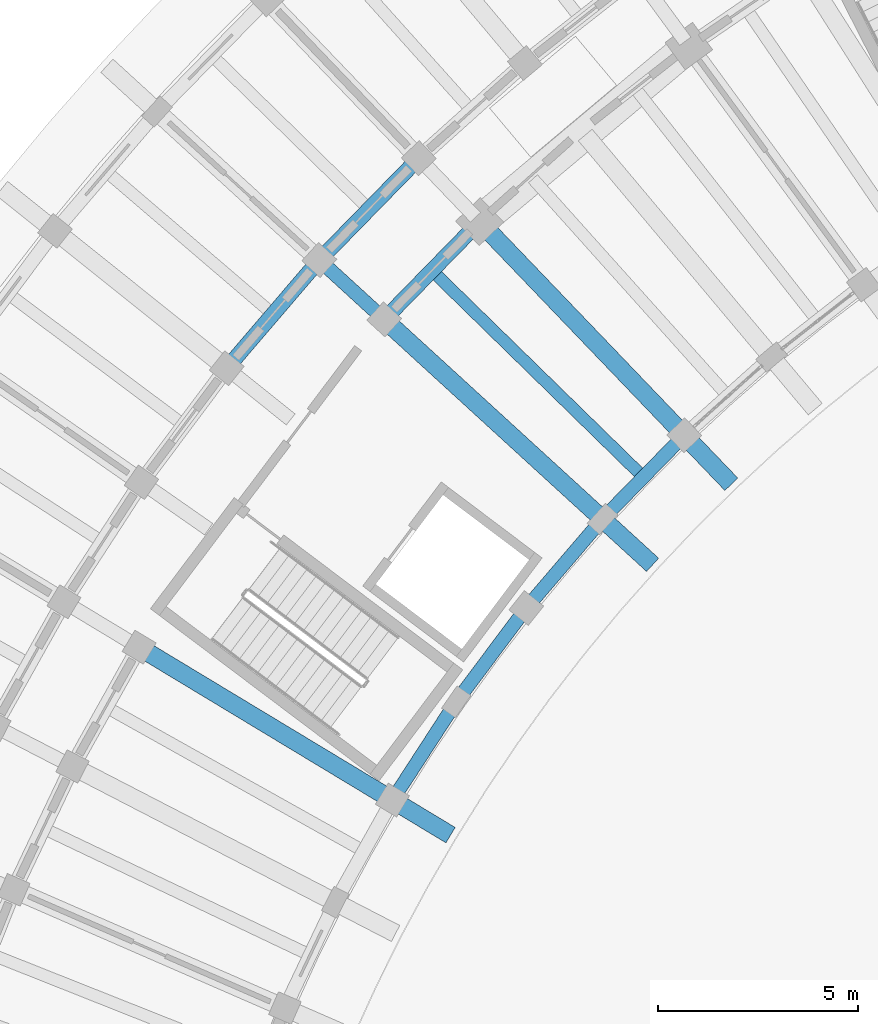
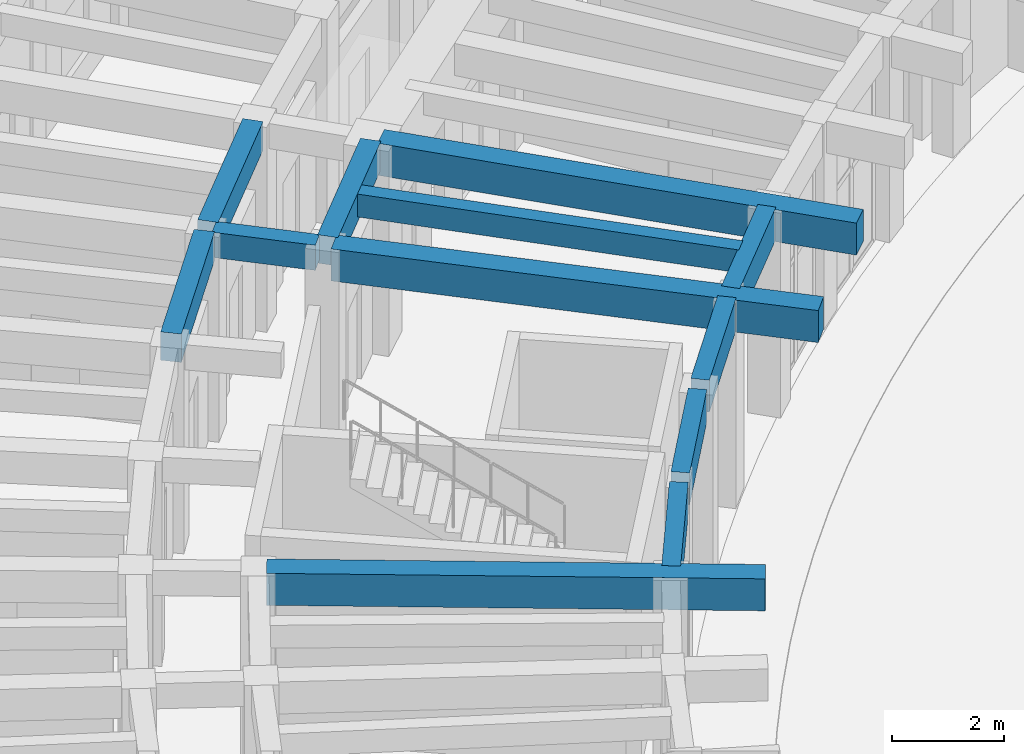
# One storey, part 38 of 132: 12 beams.
"""IFC4 building model written with IfcOpenShell, lengths in metres."""

from ifc_helpers import new_model, si_unit, direction, frame, origin, origin_2d, place, context, subcontext, project, spatial, rectangle, extrude, material, material_profile, profile_set, type_object, element, save


model = new_model("IFC4")

# Units and contexts
model_context = context("Model", 3, precision=1e-05, world=origin(), true_north=direction((0.0, 1.0)))
body_context = subcontext(model_context, "Body", "Model", "MODEL_VIEW")
ifc_project = project(units=[si_unit("LENGTHUNIT", "METRE"), si_unit("AREAUNIT", "SQUARE_METRE"), si_unit("VOLUMEUNIT", "CUBIC_METRE"), si_unit("PLANEANGLEUNIT", "RADIAN"), si_unit("MASSUNIT", "GRAM", prefix="KILO")], contexts=[model_context])

# Site, building, storey
site_placement = place(None, origin())
site = spatial("IfcSite", under=ifc_project, at=site_placement, CompositionType="ELEMENT")
building_placement = place(site_placement, origin())
building = spatial("IfcBuilding", under=site, at=building_placement, Name="Tanwirah Colonnade Gardens", CompositionType="ELEMENT")
storey_placement = place(building_placement, origin())
storey = spatial("IfcBuildingStorey", under=building, at=storey_placement, Name="L00", CompositionType="ELEMENT", Elevation=0.0)

# Beams
ifc_material_1 = material(Name="Precast concrete C40/50", Category="concrete")
ifc_material_profile_1 = material_profile(ifc_material_1, rectangle(XDim=0.35009765625, YDim=0.550048828125, at=origin_2d()), Name="PC-BM 350x550")
ifc_profile_set_1 = profile_set([ifc_material_profile_1], Name="Precast concrete C40/50")
beam_type_1 = type_object("IfcBeamType", Name="BM-PC350A", PredefinedType="BEAM", material=ifc_profile_set_1)
beam_1_placement = place(storey_placement, frame((26.62744140625, 95.29345703125, 4.2099609375), z_axis=(-0.737948361517, 0.674857181732, 0.0), x_axis=(-0.674857181732, -0.737948361517, 0.0)))
element("IfcBeam", 1, at=beam_1_placement, inside=storey, type_object=beam_type_1, Name="Block A L00 Corridor Tie Beam 11", PredefinedType="BEAM", context=body_context, shape_type="SweptSolid", body=[
    extrude(rectangle(XDim=0.35009765625, YDim=0.550048828125, at=origin_2d()), origin(), (0.0, 0.0, 1.0), 1.89990234375),
])
ifc_material_profile_2 = material_profile(ifc_material_1, rectangle(XDim=0.3798828125, YDim=0.6201171875, at=origin_2d()), Name="PC-BM 380x620")
ifc_profile_set_2 = profile_set([ifc_material_profile_2], Name="Precast concrete C40/50")
beam_type_2 = type_object("IfcBeamType", Name="BM-PC380", PredefinedType="BEAM", material=ifc_profile_set_2)
beam_2_placement = place(storey_placement, frame((29.02197265625, 97.52978515625, 4.175048828125), z_axis=(-0.698837366631, -0.715280598787, 0.0), x_axis=(0.715280598787, -0.698837366631, 0.0)))
element("IfcBeam", 2, at=beam_2_placement, inside=storey, type_object=beam_type_2, Name="Block A L00 Circumferential Beam 10-R1", PredefinedType="BEAM", context=body_context, shape_type="SweptSolid", body=[
    extrude(rectangle(XDim=0.3798828125, YDim=0.6201171875, at=origin_2d()), origin(), (0.0, 0.0, 1.0), 3.117919921875),
])
beam_3_placement = place(storey_placement, frame((27.5, 99.118408203125, 4.175048828125), z_axis=(-0.698829447339, -0.71528833594, 0.0), x_axis=(0.71528833594, -0.698829447339, 0.0)))
element("IfcBeam", 3, at=beam_3_placement, inside=storey, type_object=beam_type_2, Name="Block A L00 Circumferential Beam 10-R2", PredefinedType="BEAM", context=body_context, shape_type="SweptSolid", body=[
    extrude(rectangle(XDim=0.3798828125, YDim=0.6201171875, at=origin_2d()), origin(), (0.0, 0.0, 1.0), 3.263427734375),
])
beam_4_placement = place(storey_placement, frame((25.017333984375, 96.56298828125, 4.175048828125), z_axis=(-0.650218192342, -0.759747525398, 0.0), x_axis=(0.759747525398, -0.650218192342, 0.0)))
element("IfcBeam", 4, at=beam_4_placement, inside=storey, type_object=beam_type_2, Name="Block A L00 Circumferential Beam 11-R2", PredefinedType="BEAM", context=body_context, shape_type="SweptSolid", body=[
    extrude(rectangle(XDim=0.3798828125, YDim=0.6201171875, at=origin_2d()), origin(), (0.0, 0.0, 1.0), 3.26318359375),
])
ifc_material_2 = material(Name="Precast concrete C45/55", Category="concrete")
ifc_material_profile_3 = material_profile(ifc_material_2, rectangle(XDim=0.449951171875, YDim=0.699951171875, at=origin_2d()), Name="PC-BM 450x700")
ifc_profile_set_3 = profile_set([ifc_material_profile_3], Name="Precast concrete C45/55")
beam_type_3 = type_object("IfcBeamType", Name="BM-PC450", PredefinedType="BEAM", material=ifc_profile_set_3)
for number, where, z_axis, x_axis, name in (
    (5, (29.230712890625, 97.52880859375, 4.135009765625), (0.691860926595, -0.722030787606, 0.0), (0.722030787606, 0.691860926595, 0.0), "Block A L00 Inner Radial Precast Girder 10"),
    (6, (26.848876953125, 95.091064453125, 4.135009765625), (0.737937205818, -0.674869380154, 0.0), (0.674869380154, 0.737937205818, 0.0), "Block A L00 Inner Radial Precast Girder 11"),
):
    element("IfcBeam", number, at=place(storey_placement, frame(where, z_axis=z_axis, x_axis=x_axis)), inside=storey, type_object=beam_type_3, Name=name, PredefinedType="BEAM", context=body_context, shape_type="SweptSolid", body=[
        extrude(rectangle(XDim=0.449951171875, YDim=0.699951171875, at=origin_2d()), origin(), (0.0, 0.0, 1.0), 8.949951171875),
    ])
beam_5_placement = place(storey_placement, frame((20.736083984375, 86.913330078125, 4.135009765625), z_axis=(0.856168728297, -0.516696340887, 0.0), x_axis=(0.516696340887, 0.856168728297, 0.0)))
element("IfcBeam", 7, at=beam_5_placement, inside=storey, type_object=beam_type_3, Name="Block A L00 Inner Radial Precast Girder 14", PredefinedType="BEAM", context=body_context, shape_type="SweptSolid", body=[
    extrude(rectangle(XDim=0.449951171875, YDim=0.699951171875, at=origin_2d()), origin(), (0.0, 0.0, 1.0), 8.9501953125),
])
ifc_material_profile_4 = material_profile(ifc_material_1, rectangle(XDim=0.300048828125, YDim=0.5, at=origin_2d()), Name="PC-JST 300x500")
ifc_profile_set_4 = profile_set([ifc_material_profile_4], Name="Precast concrete C40/50")
beam_type_4 = type_object("IfcBeamType", Name="JST-PC300", PredefinedType="JOIST", material=ifc_profile_set_4)
beam_6_placement = place(storey_placement, frame((33.11962890625, 91.346923828125, 4.235107421875), z_axis=(-0.715276680509, 0.698841377081, 0.0), x_axis=(-0.698841377081, -0.715276680509, 0.0)))
element("IfcBeam", 8, at=beam_6_placement, inside=storey, type_object=beam_type_4, Name="Block A L00 Inner Precast Floor Joist 10", PredefinedType="JOIST", context=body_context, shape_type="SweptSolid", body=[
    extrude(rectangle(XDim=0.300048828125, YDim=0.5, at=origin_2d()), origin(), (0.0, 0.0, 1.0), 7.159912109375),
])
ifc_material_profile_5 = material_profile(ifc_material_2, rectangle(XDim=0.340087890625, YDim=0.699951171875, at=origin_2d()), Name="PC-SP 340x700")
ifc_profile_set_5 = profile_set([ifc_material_profile_5], Name="Precast concrete C45/55")
beam_type_5 = type_object("IfcBeamType", Name="SP-PC340", PredefinedType="SPANDREL", material=ifc_profile_set_5)
beam_7_placement = place(storey_placement, frame((34.141845703125, 92.186767578125, 4.135009765625), z_axis=(-0.698844462704, -0.715273665772, 0.0), x_axis=(0.715273665772, -0.698844462704, 0.0)))
element("IfcBeam", 9, at=beam_7_placement, inside=storey, type_object=beam_type_5, Name="Block A L00 Circumferential Beam 10-R0", PredefinedType="SPANDREL", context=body_context, shape_type="SweptSolid", body=[
    extrude(rectangle(XDim=0.340087890625, YDim=0.699951171875, at=origin_2d()), origin(), (0.0, 0.0, 1.0), 2.630126953125),
])
for number, where, z_axis, x_axis, name in (
    (10, (32.101318359375, 90.084228515625, 4.135009765625), (-0.650172023628, -0.759787035749, 0.0), (0.759787035749, -0.650172023628, 0.0), "Block A L00 Circumferential Beam 11-R0"),
    (11, (30.203857421875, 87.851806640625, 4.135009765625), (-0.598662613551, -0.80100129534, 0.0), (0.80100129534, -0.598662613551, 0.0), "Block A L00 Circumferential Beam 12-R0"),
    (12, (28.45751953125, 85.4990234375, 4.135009765625), (-0.544570677829, -0.838714955661, 0.0), (0.838714955661, -0.544570677829, 0.0), "Block A L00 Circumferential Beam 13-R0"),
):
    element("IfcBeam", number, at=place(storey_placement, frame(where, z_axis=z_axis, x_axis=x_axis)), inside=storey, type_object=beam_type_5, Name=name, PredefinedType="SPANDREL", context=body_context, shape_type="SweptSolid", body=[
        extrude(rectangle(XDim=0.340087890625, YDim=0.699951171875, at=origin_2d()), origin(), (0.0, 0.0, 1.0), 2.63037109375),
    ])

save(model, "model.ifc")
